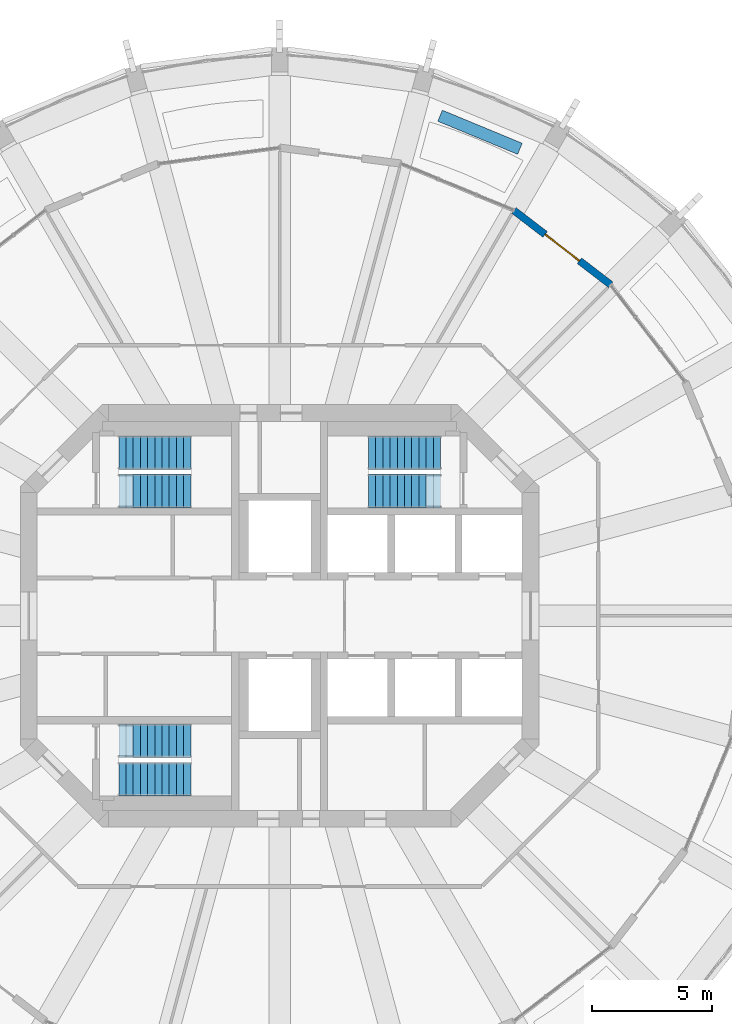
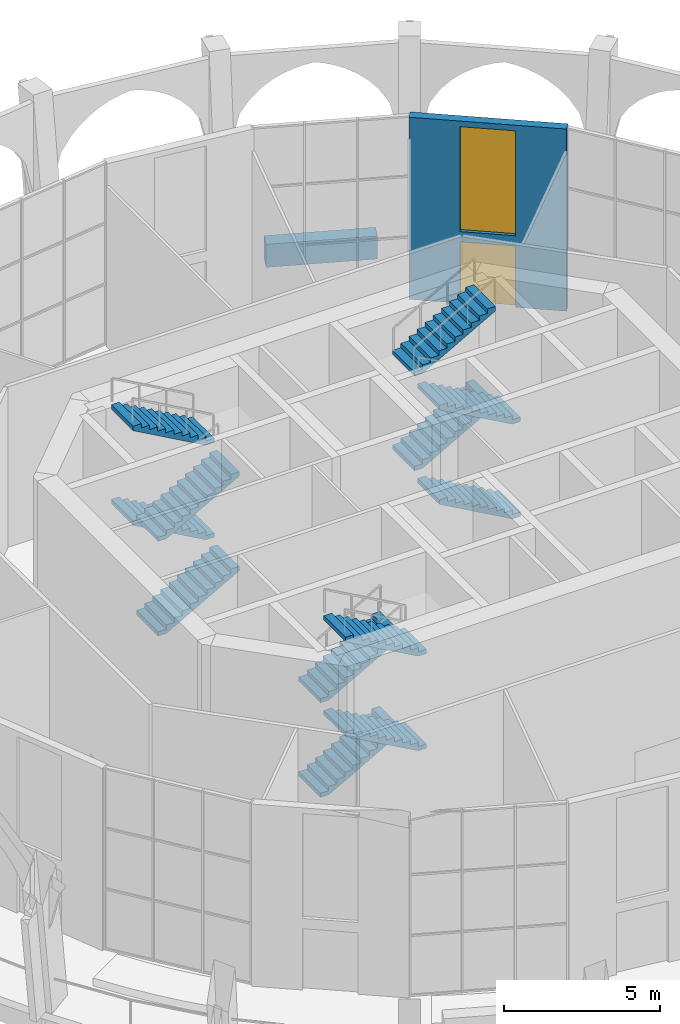
# One storey, part 13 of 16: 12 stair flights, 2 walls, 1 door, 1 window, 2 openings, 3 elements without a shape of their own.
"""IFC4 building model written with IfcOpenShell, lengths in metres."""

from ifc_helpers import new_model, si_unit, direction, frame, frame_2d, origin, place, context, subcontext, project, spatial, polyline, rectangle, outline, extrude, material, layer, layer_set, type_object, element, fill, aggregate, save


model = new_model("IFC4")

# Units and contexts
model_context = context("Model", 3, precision=1e-05, world=origin(), true_north=direction((0.0, 1.0)))
body_context = subcontext(model_context, "Body", "Model", "MODEL_VIEW")
ifc_project = project(units=[si_unit("LENGTHUNIT", "METRE"), si_unit("AREAUNIT", "SQUARE_METRE"), si_unit("VOLUMEUNIT", "CUBIC_METRE"), si_unit("PLANEANGLEUNIT", "RADIAN"), si_unit("MASSUNIT", "GRAM", prefix="KILO")], contexts=[model_context])

# Site, building, storey
site_placement = place(None, origin())
site = spatial("IfcSite", under=ifc_project, at=site_placement, CompositionType="ELEMENT")
building_placement = place(site_placement, origin())
building = spatial("IfcBuilding", under=site, at=building_placement, Name="Torre Triforio", CompositionType="ELEMENT")
storey_placement = place(building_placement, frame((0.0, 0.0, 218.699951171875)))
storey = spatial("IfcBuildingStorey", under=building, at=storey_placement, Name="L50", CompositionType="ELEMENT", Elevation=218.699951171875)

# Wall
ifc_material_1 = material(Name="Limestone cladding", Category="masonry")
ifc_layer_1 = layer(ifc_material_1, 0.10009765625)
ifc_material_2 = material(Name="Concrete C40", Category="concrete")
ifc_layer_2 = layer(ifc_material_2, 0.39990234375)
ifc_layer_set_1 = layer_set([ifc_layer_1, ifc_layer_2], Name="Limestone cladding / Concrete C40")
wall_type_1 = type_object("IfcWallType", Name="Planter wall 500", PredefinedType="PARAPET", material=ifc_layer_set_1)
wall_1_placement = place(storey_placement, frame((10.005615234375, 19.45166015625, 0.0), z_axis=(0.0, 0.0, 1.0), x_axis=(-0.923885420167, 0.382669217998, 0.0)))
element("IfcWall", 1, at=wall_1_placement, inside=storey, type_object=wall_type_1, Name="Planter L50 bay 05", PredefinedType="PARAPET", context=body_context, shape_type="SweptSolid", body=[
    extrude(rectangle(XDim=3.60009765625, YDim=0.5, at=frame_2d((1.800048828125, 0.0))), origin(), (0.0, 0.0, 1.0), 0.900146484375),
])

# Wall, openings, window, door
ifc_layer_3 = layer(ifc_material_1, 0.10009765625)
ifc_layer_4 = layer(ifc_material_2, 0.199951171875)
ifc_layer_set_2 = layer_set([ifc_layer_3, ifc_layer_4], Name="Limestone cladding / Concrete C40")
wall_type_2 = type_object("IfcWallType", Name="Stone-faced composite wall 300", PredefinedType="STANDARD", material=ifc_layer_set_2)
wall_2_placement = place(storey_placement, frame((13.78857421875, 13.78857421875, 0.0), z_axis=(0.0, 0.0, 1.0), x_axis=(-0.79335619014, 0.608757714995, 0.0)))
wall_2 = element("IfcWall", 2, at=wall_2_placement, inside=storey, type_object=wall_type_2, Name="External wall L50 bay 04", PredefinedType="STANDARD", context=body_context, shape_type="SweptSolid", body=[
    extrude(rectangle(XDim=5.090576171875, YDim=0.300048828125, at=frame_2d((2.54541015625, 0.0))), origin(), (0.0, 0.0, 1.0), 7.1201171875),
])
opening_1_placement = place(wall_2_placement, frame((1.645263671875, 0.0, 0.0)))
opening_1 = element("IfcOpeningElement", 3, at=opening_1_placement, cuts=wall_2, Name="Opening G3-D04", PredefinedType="OPENING", context=body_context, shape_type="SweptSolid", body=[
    extrude(rectangle(XDim=1.800048828125, YDim=2.39990234375, at=frame_2d((0.89990234375, 1.199951171875))), frame((0.0, 0.159912109375, 0.0), z_axis=(0.0, -1.0, 0.0), x_axis=(1.0, 0.0, 0.0)), (0.0, 0.0, 1.0), 0.320068359375),
])
opening_2_placement = place(wall_2_placement, frame((1.645263671875, 0.0, 2.800048828125)))
opening_2 = element("IfcOpeningElement", 4, at=opening_2_placement, cuts=wall_2, Name="Opening G3-W04", PredefinedType="OPENING", context=body_context, shape_type="SweptSolid", body=[
    extrude(rectangle(XDim=1.800048828125, YDim=4.10009765625, at=frame_2d((0.89990234375, 2.050048828125))), frame((0.0, 0.159912109375, 0.0), z_axis=(0.0, -1.0, 0.0), x_axis=(1.0, 0.0, 0.0)), (0.0, 0.0, 1.0), 0.320068359375),
])
ifc_material_3 = material(Name="Aluminium frame with clear double glazing", Category="aluminium")
window_type = type_object("IfcWindowType", Name="Garden clerestory window 1800 x 4100", PartitioningType="DOUBLE_PANEL_VERTICAL", PredefinedType="WINDOW", material=ifc_material_3)
window_placement = place(opening_2_placement, origin())
window = element("IfcWindow", 5, at=window_placement, inside=storey, type_object=window_type, Name="Clerestory EWN22 L50 bay 04", OverallHeight=4.10009765625, OverallWidth=1.800048828125, PartitioningType="SINGLE_PANEL", PredefinedType="WINDOW", context=body_context, shape_type="SweptSolid", body=[
    extrude(rectangle(XDim=1.800048828125, YDim=4.10009765625, at=frame_2d((0.89990234375, 2.050048828125))), frame((0.0, 0.030029296875, 0.0), z_axis=(0.0, -1.0, 0.0), x_axis=(1.0, 0.0, 0.0)), (0.0, 0.0, 1.0), 0.06005859375),
])
fill(opening_2, window)
door_type = type_object("IfcDoorType", Name="Terrace double door 1800 x 2400", OperationType="DOUBLE_DOOR_SINGLE_SWING", PredefinedType="DOOR", material=ifc_material_3)
door_placement = place(opening_1_placement, origin())
door = element("IfcDoor", 6, at=door_placement, inside=storey, type_object=door_type, Name="Terrace door L50 bay 04", OperationType="SINGLE_SWING_LEFT", OverallHeight=2.39990234375, OverallWidth=1.800048828125, PredefinedType="DOOR", context=body_context, shape_type="SweptSolid", body=[
    extrude(rectangle(XDim=1.800048828125, YDim=2.39990234375, at=frame_2d((0.89990234375, 1.199951171875))), frame((0.0, 0.02490234375, 0.0), z_axis=(0.0, -1.0, 0.0), x_axis=(1.0, 0.0, 0.0)), (0.0, 0.0, 1.0), 0.050048828125),
])
fill(opening_1, door)

# Stair, stair flights
stair_type = type_object("IfcStairType", Name="STAIR DOUBLE RETURN", PredefinedType="DOUBLE_RETURN_STAIR", material=ifc_material_2)
stair_1_placement = place(storey_placement, origin())
stair_1 = element("IfcStair", 7, at=stair_1_placement, inside=storey, type_object=stair_type, Name="Exit stair 1", PredefinedType="DOUBLE_RETURN_STAIR")
stair_flight_type = type_object("IfcStairFlightType", Name="STAIR FLIGHT 1400", PredefinedType="STRAIGHT", material=ifc_material_2)
stair_flight_1_placement = place(storey_placement, frame((-6.699951171875, 5.199951171875, 0.0), z_axis=(0.0, 0.0, 1.0), x_axis=(1.0, 0.0, 0.0)))
stair_flight_1 = element("IfcStairFlight", 8, at=stair_flight_1_placement, type_object=stair_flight_type, Name="ST1 flight 1", NumberOfRisers=11, NumberOfTreads=10, PredefinedType="STRAIGHT", RiserHeight=0.168181818, TreadLength=0.3, context=body_context, shape_type="SweptSolid", body=[
    extrude(outline(polyline([(0.0, 0.0), (0.0, 0.168212890625), (0.300048828125, 0.168212890625), (0.300048828125, 0.33642578125), (0.60009765625, 0.33642578125), (0.60009765625, 0.504638671875), (0.89990234375, 0.504638671875), (0.89990234375, 0.672607421875), (1.199951171875, 0.672607421875), (1.199951171875, 0.8408203125), (1.5, 0.8408203125), (1.5, 1.009033203125), (1.800048828125, 1.009033203125), (1.800048828125, 1.17724609375), (2.10009765625, 1.17724609375), (2.10009765625, 1.345458984375), (2.39990234375, 1.345458984375), (2.39990234375, 1.513671875), (2.699951171875, 1.513671875), (2.699951171875, 1.681884765625), (3.0, 1.681884765625), (3.0, 1.85009765625), (3.0, 1.510009765625), (0.306640625, 0.0), (0.0, 0.0)])), frame((0.0, 0.699951171875, 0.0), z_axis=(0.0, -1.0, 0.0), x_axis=(1.0, 0.0, 0.0)), (0.0, 0.0, 1.0), 1.39990234375),
])
stair_flight_2_placement = place(storey_placement, frame((-3.699951171875, 6.800048828125, 1.85009765625), z_axis=(0.0, 0.0, 1.0), x_axis=(-1.0, 0.0, 0.0)))
stair_flight_2 = element("IfcStairFlight", 9, at=stair_flight_2_placement, type_object=stair_flight_type, Name="ST1 flight 2", NumberOfRisers=11, NumberOfTreads=10, PredefinedType="STRAIGHT", RiserHeight=0.168181818, TreadLength=0.3, context=body_context, shape_type="SweptSolid", body=[
    extrude(outline(polyline([(0.0, 0.0), (0.0, 0.168212890625), (0.300048828125, 0.168212890625), (0.300048828125, 0.33642578125), (0.60009765625, 0.33642578125), (0.60009765625, 0.504638671875), (0.89990234375, 0.504638671875), (0.89990234375, 0.672607421875), (1.199951171875, 0.672607421875), (1.199951171875, 0.8408203125), (1.5, 0.8408203125), (1.5, 1.009033203125), (1.800048828125, 1.009033203125), (1.800048828125, 1.17724609375), (2.10009765625, 1.17724609375), (2.10009765625, 1.345458984375), (2.39990234375, 1.345458984375), (2.39990234375, 1.513671875), (2.699951171875, 1.513671875), (2.699951171875, 1.681884765625), (3.0, 1.681884765625), (3.0, 1.85009765625), (3.0, 1.510009765625), (0.306640625, 0.0), (0.0, 0.0)])), frame((0.0, 0.699951171875, 0.0), z_axis=(0.0, -1.0, 0.0), x_axis=(1.0, 0.0, 0.0)), (0.0, 0.0, 1.0), 1.39990234375),
])
stair_flight_3_placement = place(storey_placement, frame((-6.699951171875, 5.199951171875, 3.699951171875), z_axis=(0.0, 0.0, 1.0), x_axis=(1.0, 0.0, 0.0)))
stair_flight_3 = element("IfcStairFlight", 10, at=stair_flight_3_placement, type_object=stair_flight_type, Name="ST1 flight 3", NumberOfRisers=11, NumberOfTreads=10, PredefinedType="STRAIGHT", RiserHeight=0.168181818, TreadLength=0.3, context=body_context, shape_type="SweptSolid", body=[
    extrude(outline(polyline([(0.0, 0.0), (0.0, 0.168212890625), (0.300048828125, 0.168212890625), (0.300048828125, 0.33642578125), (0.60009765625, 0.33642578125), (0.60009765625, 0.504638671875), (0.89990234375, 0.504638671875), (0.89990234375, 0.672607421875), (1.199951171875, 0.672607421875), (1.199951171875, 0.8408203125), (1.5, 0.8408203125), (1.5, 1.009033203125), (1.800048828125, 1.009033203125), (1.800048828125, 1.17724609375), (2.10009765625, 1.17724609375), (2.10009765625, 1.345458984375), (2.39990234375, 1.345458984375), (2.39990234375, 1.513671875), (2.699951171875, 1.513671875), (2.699951171875, 1.681884765625), (3.0, 1.681884765625), (3.0, 1.85009765625), (3.0, 1.510009765625), (0.306640625, 0.0), (0.0, 0.0)])), frame((0.0, 0.699951171875, 0.0), z_axis=(0.0, -1.0, 0.0), x_axis=(1.0, 0.0, 0.0)), (0.0, 0.0, 1.0), 1.39990234375),
])
stair_flight_4_placement = place(storey_placement, frame((-3.699951171875, 6.800048828125, 5.550048828125), z_axis=(0.0, 0.0, 1.0), x_axis=(-1.0, 0.0, 0.0)))
stair_flight_4 = element("IfcStairFlight", 11, at=stair_flight_4_placement, type_object=stair_flight_type, Name="ST1 flight 4", NumberOfRisers=11, NumberOfTreads=10, PredefinedType="STRAIGHT", RiserHeight=0.168181818, TreadLength=0.3, context=body_context, shape_type="SweptSolid", body=[
    extrude(outline(polyline([(0.0, 0.0), (0.0, 0.168212890625), (0.300048828125, 0.168212890625), (0.300048828125, 0.33642578125), (0.60009765625, 0.33642578125), (0.60009765625, 0.504638671875), (0.89990234375, 0.504638671875), (0.89990234375, 0.672607421875), (1.199951171875, 0.672607421875), (1.199951171875, 0.8408203125), (1.5, 0.8408203125), (1.5, 1.009033203125), (1.800048828125, 1.009033203125), (1.800048828125, 1.17724609375), (2.10009765625, 1.17724609375), (2.10009765625, 1.345458984375), (2.39990234375, 1.345458984375), (2.39990234375, 1.513671875), (2.699951171875, 1.513671875), (2.699951171875, 1.681884765625), (3.0, 1.681884765625), (3.0, 1.85009765625), (3.0, 1.510009765625), (0.306640625, 0.0), (0.0, 0.0)])), frame((0.0, 0.699951171875, 0.0), z_axis=(0.0, -1.0, 0.0), x_axis=(1.0, 0.0, 0.0)), (0.0, 0.0, 1.0), 1.39990234375),
])
aggregate(stair_1, [stair_flight_1, stair_flight_2, stair_flight_3, stair_flight_4])

stair_2_placement = place(storey_placement, origin())
stair_2 = element("IfcStair", 12, at=stair_2_placement, inside=storey, type_object=stair_type, Name="Exit stair 2", PredefinedType="DOUBLE_RETURN_STAIR")
stair_flight_5_placement = place(storey_placement, frame((6.699951171875, 5.199951171875, 0.0), z_axis=(0.0, 0.0, 1.0), x_axis=(-1.0, 0.0, 0.0)))
stair_flight_5 = element("IfcStairFlight", 13, at=stair_flight_5_placement, type_object=stair_flight_type, Name="ST2 flight 1", NumberOfRisers=11, NumberOfTreads=10, PredefinedType="STRAIGHT", RiserHeight=0.168181818, TreadLength=0.3, context=body_context, shape_type="SweptSolid", body=[
    extrude(outline(polyline([(0.0, 0.0), (0.0, 0.168212890625), (0.300048828125, 0.168212890625), (0.300048828125, 0.33642578125), (0.60009765625, 0.33642578125), (0.60009765625, 0.504638671875), (0.89990234375, 0.504638671875), (0.89990234375, 0.672607421875), (1.199951171875, 0.672607421875), (1.199951171875, 0.8408203125), (1.5, 0.8408203125), (1.5, 1.009033203125), (1.800048828125, 1.009033203125), (1.800048828125, 1.17724609375), (2.10009765625, 1.17724609375), (2.10009765625, 1.345458984375), (2.39990234375, 1.345458984375), (2.39990234375, 1.513671875), (2.699951171875, 1.513671875), (2.699951171875, 1.681884765625), (3.0, 1.681884765625), (3.0, 1.85009765625), (3.0, 1.510009765625), (0.306640625, 0.0), (0.0, 0.0)])), frame((0.0, 0.699951171875, 0.0), z_axis=(0.0, -1.0, 0.0), x_axis=(1.0, 0.0, 0.0)), (0.0, 0.0, 1.0), 1.39990234375),
])
stair_flight_6_placement = place(storey_placement, frame((3.699951171875, 6.800048828125, 1.85009765625), z_axis=(0.0, 0.0, 1.0), x_axis=(1.0, 0.0, 0.0)))
stair_flight_6 = element("IfcStairFlight", 14, at=stair_flight_6_placement, type_object=stair_flight_type, Name="ST2 flight 2", NumberOfRisers=11, NumberOfTreads=10, PredefinedType="STRAIGHT", RiserHeight=0.168181818, TreadLength=0.3, context=body_context, shape_type="SweptSolid", body=[
    extrude(outline(polyline([(0.0, 0.0), (0.0, 0.168212890625), (0.300048828125, 0.168212890625), (0.300048828125, 0.33642578125), (0.60009765625, 0.33642578125), (0.60009765625, 0.504638671875), (0.89990234375, 0.504638671875), (0.89990234375, 0.672607421875), (1.199951171875, 0.672607421875), (1.199951171875, 0.8408203125), (1.5, 0.8408203125), (1.5, 1.009033203125), (1.800048828125, 1.009033203125), (1.800048828125, 1.17724609375), (2.10009765625, 1.17724609375), (2.10009765625, 1.345458984375), (2.39990234375, 1.345458984375), (2.39990234375, 1.513671875), (2.699951171875, 1.513671875), (2.699951171875, 1.681884765625), (3.0, 1.681884765625), (3.0, 1.85009765625), (3.0, 1.510009765625), (0.306640625, 0.0), (0.0, 0.0)])), frame((0.0, 0.699951171875, 0.0), z_axis=(0.0, -1.0, 0.0), x_axis=(1.0, 0.0, 0.0)), (0.0, 0.0, 1.0), 1.39990234375),
])
stair_flight_7_placement = place(storey_placement, frame((6.699951171875, 5.199951171875, 3.699951171875), z_axis=(0.0, 0.0, 1.0), x_axis=(-1.0, 0.0, 0.0)))
stair_flight_7 = element("IfcStairFlight", 15, at=stair_flight_7_placement, type_object=stair_flight_type, Name="ST2 flight 3", NumberOfRisers=11, NumberOfTreads=10, PredefinedType="STRAIGHT", RiserHeight=0.168181818, TreadLength=0.3, context=body_context, shape_type="SweptSolid", body=[
    extrude(outline(polyline([(0.0, 0.0), (0.0, 0.168212890625), (0.300048828125, 0.168212890625), (0.300048828125, 0.33642578125), (0.60009765625, 0.33642578125), (0.60009765625, 0.504638671875), (0.89990234375, 0.504638671875), (0.89990234375, 0.672607421875), (1.199951171875, 0.672607421875), (1.199951171875, 0.8408203125), (1.5, 0.8408203125), (1.5, 1.009033203125), (1.800048828125, 1.009033203125), (1.800048828125, 1.17724609375), (2.10009765625, 1.17724609375), (2.10009765625, 1.345458984375), (2.39990234375, 1.345458984375), (2.39990234375, 1.513671875), (2.699951171875, 1.513671875), (2.699951171875, 1.681884765625), (3.0, 1.681884765625), (3.0, 1.85009765625), (3.0, 1.510009765625), (0.306640625, 0.0), (0.0, 0.0)])), frame((0.0, 0.699951171875, 0.0), z_axis=(0.0, -1.0, 0.0), x_axis=(1.0, 0.0, 0.0)), (0.0, 0.0, 1.0), 1.39990234375),
])
stair_flight_8_placement = place(storey_placement, frame((3.699951171875, 6.800048828125, 5.550048828125), z_axis=(0.0, 0.0, 1.0), x_axis=(1.0, 0.0, 0.0)))
stair_flight_8 = element("IfcStairFlight", 16, at=stair_flight_8_placement, type_object=stair_flight_type, Name="ST2 flight 4", NumberOfRisers=11, NumberOfTreads=10, PredefinedType="STRAIGHT", RiserHeight=0.168181818, TreadLength=0.3, context=body_context, shape_type="SweptSolid", body=[
    extrude(outline(polyline([(0.0, 0.0), (0.0, 0.168212890625), (0.300048828125, 0.168212890625), (0.300048828125, 0.33642578125), (0.60009765625, 0.33642578125), (0.60009765625, 0.504638671875), (0.89990234375, 0.504638671875), (0.89990234375, 0.672607421875), (1.199951171875, 0.672607421875), (1.199951171875, 0.8408203125), (1.5, 0.8408203125), (1.5, 1.009033203125), (1.800048828125, 1.009033203125), (1.800048828125, 1.17724609375), (2.10009765625, 1.17724609375), (2.10009765625, 1.345458984375), (2.39990234375, 1.345458984375), (2.39990234375, 1.513671875), (2.699951171875, 1.513671875), (2.699951171875, 1.681884765625), (3.0, 1.681884765625), (3.0, 1.85009765625), (3.0, 1.510009765625), (0.306640625, 0.0), (0.0, 0.0)])), frame((0.0, 0.699951171875, 0.0), z_axis=(0.0, -1.0, 0.0), x_axis=(1.0, 0.0, 0.0)), (0.0, 0.0, 1.0), 1.39990234375),
])
aggregate(stair_2, [stair_flight_5, stair_flight_6, stair_flight_7, stair_flight_8])

stair_3_placement = place(storey_placement, origin())
stair_3 = element("IfcStair", 17, at=stair_3_placement, inside=storey, type_object=stair_type, Name="Exit stair 3", PredefinedType="DOUBLE_RETURN_STAIR")
stair_flight_9_placement = place(storey_placement, frame((-6.699951171875, -5.199951171875, 0.0), z_axis=(0.0, 0.0, 1.0), x_axis=(1.0, 0.0, 0.0)))
stair_flight_9 = element("IfcStairFlight", 18, at=stair_flight_9_placement, type_object=stair_flight_type, Name="ST3 flight 1", NumberOfRisers=11, NumberOfTreads=10, PredefinedType="STRAIGHT", RiserHeight=0.168181818, TreadLength=0.3, context=body_context, shape_type="SweptSolid", body=[
    extrude(outline(polyline([(0.0, 0.0), (0.0, 0.168212890625), (0.300048828125, 0.168212890625), (0.300048828125, 0.33642578125), (0.60009765625, 0.33642578125), (0.60009765625, 0.504638671875), (0.89990234375, 0.504638671875), (0.89990234375, 0.672607421875), (1.199951171875, 0.672607421875), (1.199951171875, 0.8408203125), (1.5, 0.8408203125), (1.5, 1.009033203125), (1.800048828125, 1.009033203125), (1.800048828125, 1.17724609375), (2.10009765625, 1.17724609375), (2.10009765625, 1.345458984375), (2.39990234375, 1.345458984375), (2.39990234375, 1.513671875), (2.699951171875, 1.513671875), (2.699951171875, 1.681884765625), (3.0, 1.681884765625), (3.0, 1.85009765625), (3.0, 1.510009765625), (0.306640625, 0.0), (0.0, 0.0)])), frame((0.0, 0.699951171875, 0.0), z_axis=(0.0, -1.0, 0.0), x_axis=(1.0, 0.0, 0.0)), (0.0, 0.0, 1.0), 1.39990234375),
])
stair_flight_10_placement = place(storey_placement, frame((-3.699951171875, -6.800048828125, 1.85009765625), z_axis=(0.0, 0.0, 1.0), x_axis=(-1.0, 0.0, 0.0)))
stair_flight_10 = element("IfcStairFlight", 19, at=stair_flight_10_placement, type_object=stair_flight_type, Name="ST3 flight 2", NumberOfRisers=11, NumberOfTreads=10, PredefinedType="STRAIGHT", RiserHeight=0.168181818, TreadLength=0.3, context=body_context, shape_type="SweptSolid", body=[
    extrude(outline(polyline([(0.0, 0.0), (0.0, 0.168212890625), (0.300048828125, 0.168212890625), (0.300048828125, 0.33642578125), (0.60009765625, 0.33642578125), (0.60009765625, 0.504638671875), (0.89990234375, 0.504638671875), (0.89990234375, 0.672607421875), (1.199951171875, 0.672607421875), (1.199951171875, 0.8408203125), (1.5, 0.8408203125), (1.5, 1.009033203125), (1.800048828125, 1.009033203125), (1.800048828125, 1.17724609375), (2.10009765625, 1.17724609375), (2.10009765625, 1.345458984375), (2.39990234375, 1.345458984375), (2.39990234375, 1.513671875), (2.699951171875, 1.513671875), (2.699951171875, 1.681884765625), (3.0, 1.681884765625), (3.0, 1.85009765625), (3.0, 1.510009765625), (0.306640625, 0.0), (0.0, 0.0)])), frame((0.0, 0.699951171875, 0.0), z_axis=(0.0, -1.0, 0.0), x_axis=(1.0, 0.0, 0.0)), (0.0, 0.0, 1.0), 1.39990234375),
])
stair_flight_11_placement = place(storey_placement, frame((-6.699951171875, -5.199951171875, 3.699951171875), z_axis=(0.0, 0.0, 1.0), x_axis=(1.0, 0.0, 0.0)))
stair_flight_11 = element("IfcStairFlight", 20, at=stair_flight_11_placement, type_object=stair_flight_type, Name="ST3 flight 3", NumberOfRisers=11, NumberOfTreads=10, PredefinedType="STRAIGHT", RiserHeight=0.168181818, TreadLength=0.3, context=body_context, shape_type="SweptSolid", body=[
    extrude(outline(polyline([(0.0, 0.0), (0.0, 0.168212890625), (0.300048828125, 0.168212890625), (0.300048828125, 0.33642578125), (0.60009765625, 0.33642578125), (0.60009765625, 0.504638671875), (0.89990234375, 0.504638671875), (0.89990234375, 0.672607421875), (1.199951171875, 0.672607421875), (1.199951171875, 0.8408203125), (1.5, 0.8408203125), (1.5, 1.009033203125), (1.800048828125, 1.009033203125), (1.800048828125, 1.17724609375), (2.10009765625, 1.17724609375), (2.10009765625, 1.345458984375), (2.39990234375, 1.345458984375), (2.39990234375, 1.513671875), (2.699951171875, 1.513671875), (2.699951171875, 1.681884765625), (3.0, 1.681884765625), (3.0, 1.85009765625), (3.0, 1.510009765625), (0.306640625, 0.0), (0.0, 0.0)])), frame((0.0, 0.699951171875, 0.0), z_axis=(0.0, -1.0, 0.0), x_axis=(1.0, 0.0, 0.0)), (0.0, 0.0, 1.0), 1.39990234375),
])
stair_flight_12_placement = place(storey_placement, frame((-3.699951171875, -6.800048828125, 5.550048828125), z_axis=(0.0, 0.0, 1.0), x_axis=(-1.0, 0.0, 0.0)))
stair_flight_12 = element("IfcStairFlight", 21, at=stair_flight_12_placement, type_object=stair_flight_type, Name="ST3 flight 4", NumberOfRisers=11, NumberOfTreads=10, PredefinedType="STRAIGHT", RiserHeight=0.168181818, TreadLength=0.3, context=body_context, shape_type="SweptSolid", body=[
    extrude(outline(polyline([(0.0, 0.0), (0.0, 0.168212890625), (0.300048828125, 0.168212890625), (0.300048828125, 0.33642578125), (0.60009765625, 0.33642578125), (0.60009765625, 0.504638671875), (0.89990234375, 0.504638671875), (0.89990234375, 0.672607421875), (1.199951171875, 0.672607421875), (1.199951171875, 0.8408203125), (1.5, 0.8408203125), (1.5, 1.009033203125), (1.800048828125, 1.009033203125), (1.800048828125, 1.17724609375), (2.10009765625, 1.17724609375), (2.10009765625, 1.345458984375), (2.39990234375, 1.345458984375), (2.39990234375, 1.513671875), (2.699951171875, 1.513671875), (2.699951171875, 1.681884765625), (3.0, 1.681884765625), (3.0, 1.85009765625), (3.0, 1.510009765625), (0.306640625, 0.0), (0.0, 0.0)])), frame((0.0, 0.699951171875, 0.0), z_axis=(0.0, -1.0, 0.0), x_axis=(1.0, 0.0, 0.0)), (0.0, 0.0, 1.0), 1.39990234375),
])
aggregate(stair_3, [stair_flight_9, stair_flight_10, stair_flight_11, stair_flight_12])

save(model, "model.ifc")
